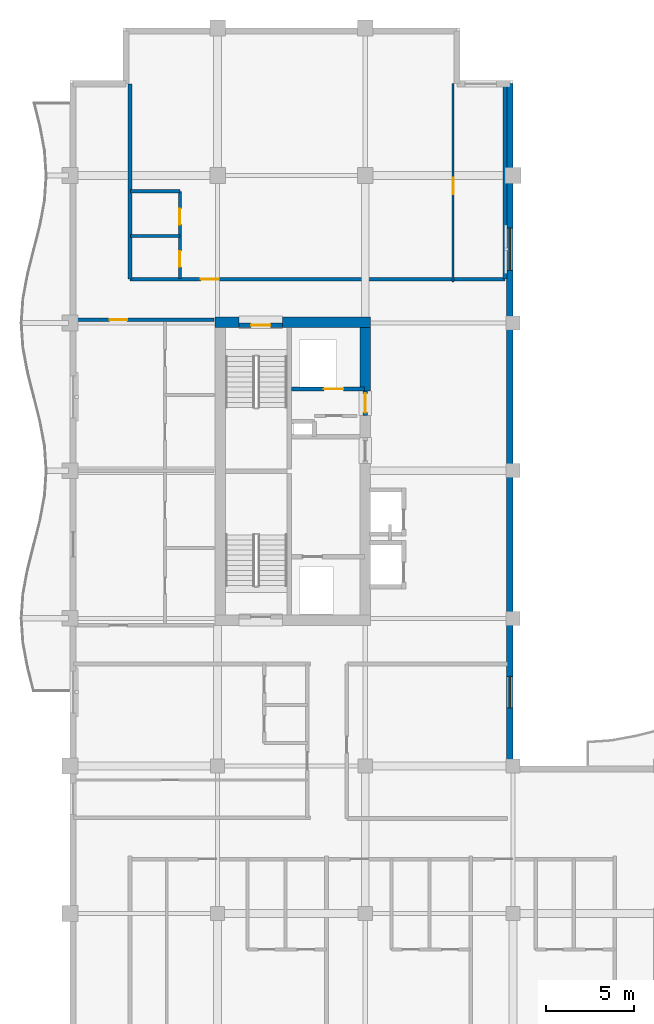
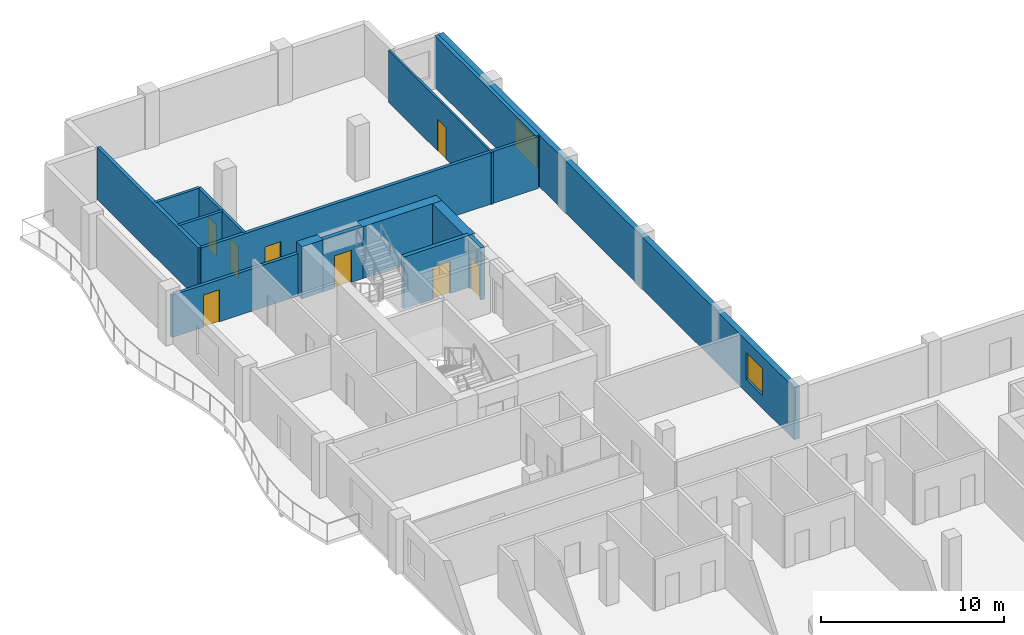
# One storey, part 10 of 16: 15 walls, 8 doors, 2 windows, 10 openings.
"""IFC4 building model written with IfcOpenShell, lengths in metres."""

from ifc_helpers import new_model, si_unit, direction, frame, frame_2d, origin, place, context, subcontext, project, spatial, rectangle, extrude, material, layer, layer_set, type_object, element, fill, save


model = new_model("IFC4")

# Units and contexts
model_context = context("Model", 3, precision=1e-05, world=origin(), true_north=direction((0.0, 1.0)))
body_context = subcontext(model_context, "Body", "Model", "MODEL_VIEW")
ifc_project = project(units=[si_unit("LENGTHUNIT", "METRE"), si_unit("AREAUNIT", "SQUARE_METRE"), si_unit("VOLUMEUNIT", "CUBIC_METRE"), si_unit("PLANEANGLEUNIT", "RADIAN"), si_unit("MASSUNIT", "GRAM", prefix="KILO")], contexts=[model_context])

# Site, building, storey
site_placement = place(None, origin())
site = spatial("IfcSite", under=ifc_project, at=site_placement, CompositionType="ELEMENT")
building_placement = place(site_placement, origin())
building = spatial("IfcBuilding", under=site, at=building_placement, Name="Koriwani Terraces Tower", CompositionType="ELEMENT")
storey_placement = place(building_placement, frame((0.0, 0.0, 245.300048828125)))
storey = spatial("IfcBuildingStorey", under=building, at=storey_placement, Name="L60", CompositionType="ELEMENT", Elevation=245.300048828125)

# Walls
ifc_material_1 = material(Name="Concrete C60/75", Category="concrete")
ifc_layer_1 = layer(ifc_material_1, 0.60009765625, Name="Concrete C60/75")
ifc_layer_set_1 = layer_set([ifc_layer_1], Name="Concrete C60/75")
wall_type_1 = type_object("IfcWallType", Name="WALL_CORE_RC_600", PredefinedType="SHEAR", material=ifc_layer_set_1)
wall_1_placement = place(storey_placement, frame((16.64990234375, 58.85009765625, 0.0), z_axis=(0.0, 0.0, 1.0), x_axis=(1.0, 0.0, 0.0)))
element("IfcWall", 1, at=wall_1_placement, inside=storey, type_object=wall_type_1, Name="L60 West Split Core Shear Wall N1", PredefinedType="SHEAR", context=body_context, shape_type="SweptSolid", body=[
    extrude(rectangle(XDim=1.35009765625, YDim=0.60009765625, at=frame_2d((0.675048828125, 0.0))), origin(), (0.0, 0.0, 1.0), 3.469970703125),
])
wall_2_placement = place(storey_placement, frame((20.5, 58.85009765625, 0.0), z_axis=(0.0, 0.0, 1.0), x_axis=(1.0, 0.0, 0.0)))
element("IfcWall", 2, at=wall_2_placement, inside=storey, type_object=wall_type_1, Name="L60 West Split Core Shear Wall N2", PredefinedType="SHEAR", context=body_context, shape_type="SweptSolid", body=[
    extrude(rectangle(XDim=5.0, YDim=0.60009765625, at=frame_2d((2.5, 0.0))), origin(), (0.0, 0.0, 1.0), 3.469970703125),
])
wall_3_placement = place(storey_placement, frame((25.199951171875, 54.949951171875, 0.0), z_axis=(0.0, 0.0, 1.0), x_axis=(0.0, 1.0, 0.0)))
element("IfcWall", 3, at=wall_3_placement, inside=storey, type_object=wall_type_1, Name="L60 West Split Core Shear Wall E3", PredefinedType="SHEAR", context=body_context, shape_type="SweptSolid", body=[
    extrude(rectangle(XDim=3.60009765625, YDim=0.60009765625, at=frame_2d((1.800048828125, 0.0))), origin(), (0.0, 0.0, 1.0), 3.469970703125),
])

# Wall, opening, door
ifc_material_2 = material(Name="Autoclaved Cellular Concrete Blockwork", Category="masonry")
ifc_layer_2 = layer(ifc_material_2, 0.199951171875, Name="Autoclaved Cellular Concrete Blockwork")
ifc_layer_set_2 = layer_set([ifc_layer_2], Name="Autoclaved Cellular Concrete Blockwork")
wall_type_2 = type_object("IfcWallType", Name="WALL_CORRIDOR_200", PredefinedType="PARTITIONING", material=ifc_layer_set_2)
wall_4_placement = place(storey_placement, frame((8.64990234375, 59.0, 0.0), z_axis=(0.0, 0.0, 1.0), x_axis=(1.0, 0.0, 0.0)))
wall_4 = element("IfcWall", 4, at=wall_4_placement, inside=storey, type_object=wall_type_2, Name="L60 Interior Wall WRZ4-WN-L60", PredefinedType="PARTITIONING", context=body_context, shape_type="SweptSolid", body=[
    extrude(rectangle(XDim=7.9501953125, YDim=0.199951171875, at=frame_2d((3.97509765625, 0.0))), origin(), (0.0, 0.0, 1.0), 2.820068359375),
])
opening_1_placement = place(wall_4_placement, frame((2.0, 0.0, 0.0)))
opening_1 = element("IfcOpeningElement", 5, at=opening_1_placement, cuts=wall_4, Name="Opening D-05", PredefinedType="OPENING", context=body_context, shape_type="SweptSolid", body=[
    extrude(rectangle(XDim=1.0, YDim=2.14990234375, at=frame_2d((0.5, 1.074951171875))), frame((0.0, 0.10986328125, 0.0), z_axis=(0.0, -1.0, 0.0), x_axis=(1.0, 0.0, 0.0)), (0.0, 0.0, 1.0), 0.219970703125),
])
ifc_material_3 = material(Name="Architectural Oak Fire Door", Category="wood")
door_type_1 = type_object("IfcDoorType", Name="DOOR_SUITE_ENTRY_1000X2150", OperationType="NOTDEFINED", PredefinedType="DOOR", material=ifc_material_3)
door_1_placement = place(opening_1_placement, origin())
door_1 = element("IfcDoor", 6, at=door_1_placement, inside=storey, type_object=door_type_1, Name="Apartment 60RW2 Entrance Door", OperationType="SINGLE_SWING_RIGHT", OverallHeight=2.14990234375, OverallWidth=1.0, PredefinedType="DOOR", context=body_context, shape_type="SweptSolid", body=[
    extrude(rectangle(XDim=1.0, YDim=2.14990234375, at=frame_2d((0.5, 1.074951171875))), frame((0.0, 0.02490234375, 0.0), z_axis=(0.0, -1.0, 0.0), x_axis=(1.0, 0.0, 0.0)), (0.0, 0.0, 1.0), 0.050048828125),
])
fill(opening_1, door_1)

wall_5_placement = place(storey_placement, frame((11.800048828125, 61.300048828125, 0.0), z_axis=(0.0, 0.0, 1.0), x_axis=(1.0, 0.0, 0.0)))
wall_5 = element("IfcWall", 7, at=wall_5_placement, inside=storey, type_object=wall_type_2, Name="L60 Interior Wall WGB-L60-NT-S", PredefinedType="PARTITIONING", context=body_context, shape_type="SweptSolid", body=[
    extrude(rectangle(XDim=21.349853515625, YDim=0.199951171875, at=frame_2d((10.6748046875, 0.0))), origin(), (0.0, 0.0, 1.0), 3.469970703125),
])
opening_2_placement = place(wall_5_placement, frame((4.050048828125, 0.0, 0.0)))
opening_2 = element("IfcOpeningElement", 8, at=opening_2_placement, cuts=wall_5, Name="Opening D-05", PredefinedType="OPENING", context=body_context, shape_type="SweptSolid", body=[
    extrude(rectangle(XDim=1.0, YDim=2.14990234375, at=frame_2d((0.5, 1.074951171875))), frame((0.0, 0.10986328125, 0.0), z_axis=(0.0, -1.0, 0.0), x_axis=(1.0, 0.0, 0.0)), (0.0, 0.0, 1.0), 0.219970703125),
])
door_2_placement = place(opening_2_placement, origin())
door_2 = element("IfcDoor", 9, at=door_2_placement, inside=storey, type_object=door_type_1, Name="Apartment 60NT Entrance Door", OperationType="SINGLE_SWING_LEFT", OverallHeight=2.14990234375, OverallWidth=1.0, PredefinedType="DOOR", context=body_context, shape_type="SweptSolid", body=[
    extrude(rectangle(XDim=1.0, YDim=2.14990234375, at=frame_2d((0.5, 1.074951171875))), frame((0.0, 0.02490234375, 0.0), z_axis=(0.0, -1.0, 0.0), x_axis=(1.0, 0.0, 0.0)), (0.0, 0.0, 1.0), 0.050048828125),
])
fill(opening_2, door_2)

# Walls
ifc_layer_3 = layer(ifc_material_2, 0.219970703125, Name="Autoclaved Cellular Concrete Blockwork")
ifc_layer_set_3 = layer_set([ifc_layer_3], Name="Autoclaved Cellular Concrete Blockwork")
wall_type_3 = type_object("IfcWallType", Name="WALL_DEMISING_220", PredefinedType="PARTITIONING", material=ifc_layer_set_3)
for number, where, z_axis, x_axis, name in (
    (10, (33.14990234375, 61.300048828125, 0.0), (0.0, 0.0, 1.0), (0.0, 1.0, 0.0), "L60 Interior Wall WGB-L60-NT-E"),
    (11, (11.800048828125, 61.300048828125, 0.0), (0.0, 0.0, 1.0), (0.0, 1.0, 0.0), "L60 Interior Wall WGB-L60-NT-W"),
):
    element("IfcWall", number, at=place(storey_placement, frame(where, z_axis=z_axis, x_axis=x_axis)), inside=storey, type_object=wall_type_3, Name=name, PredefinedType="PARTITIONING", context=body_context, shape_type="SweptSolid", body=[
        extrude(rectangle(XDim=11.099853515625, YDim=0.219970703125, at=frame_2d((5.5498046875, 0.0))), origin(), (0.0, 0.0, 1.0), 3.469970703125),
    ])

# Wall, openings, windows
ifc_material_4 = material(Name="Concrete C50/60", Category="concrete")
ifc_layer_4 = layer(ifc_material_4, 0.35009765625, Name="Concrete C50/60")
ifc_layer_set_4 = layer_set([ifc_layer_4], Name="Concrete C50/60")
wall_type_4 = type_object("IfcWallType", Name="WALL_EXT_BRUTALIST_350", PredefinedType="STANDARD", material=ifc_layer_set_4)
wall_6_placement = place(storey_placement, frame((33.425048828125, 72.425048828125, 0.0), z_axis=(0.0, 0.0, 1.0), x_axis=(0.0, -1.0, 0.0)))
wall_6 = element("IfcWall", 12, at=wall_6_placement, inside=storey, type_object=wall_type_4, Name="L60 Fair-Faced Brutalist Exterior Wall (NW_IN)", PredefinedType="STANDARD", context=body_context, shape_type="SweptSolid", body=[
    extrude(rectangle(XDim=39.0, YDim=0.35009765625, at=frame_2d((19.5, 0.0))), origin(), (0.0, 0.0, 1.0), 3.469970703125),
])
opening_3_placement = place(wall_6_placement, frame((33.72509765625, 0.0, 0.85009765625)))
opening_3 = element("IfcOpeningElement", 13, at=opening_3_placement, cuts=wall_6, Name="Opening W-04", PredefinedType="OPENING", context=body_context, shape_type="SweptSolid", body=[
    extrude(rectangle(XDim=1.800048828125, YDim=1.800048828125, at=frame_2d((0.89990234375, 0.89990234375))), frame((0.0, 0.18505859375, 0.0), z_axis=(0.0, -1.0, 0.0), x_axis=(1.0, 0.0, 0.0)), (0.0, 0.0, 1.0), 0.3701171875),
])
opening_4_placement = place(wall_6_placement, frame((8.22509765625, 0.0, 0.85009765625)))
opening_4 = element("IfcOpeningElement", 14, at=opening_4_placement, cuts=wall_6, Name="Opening W-03", PredefinedType="OPENING", context=body_context, shape_type="SweptSolid", body=[
    extrude(rectangle(XDim=2.39990234375, YDim=1.949951171875, at=frame_2d((1.199951171875, 0.97509765625))), frame((0.0, 0.18505859375, 0.0), z_axis=(0.0, -1.0, 0.0), x_axis=(1.0, 0.0, 0.0)), (0.0, 0.0, 1.0), 0.3701171875),
])
ifc_material_5 = material(Name="Tempered Laminated Low-E Glass", Category="glass")
window_type_1 = type_object("IfcWindowType", Name="WIN_RES_BED_1800X1800", PartitioningType="DOUBLE_PANEL_VERTICAL", PredefinedType="WINDOW", material=ifc_material_5)
window_1_placement = place(opening_3_placement, origin())
window_1 = element("IfcWindow", 15, at=window_1_placement, inside=storey, type_object=window_type_1, Name="L60 Exterior Window (NW_IN-2)", OverallHeight=1.800048828125, OverallWidth=1.800048828125, PartitioningType="SINGLE_PANEL", PredefinedType="WINDOW", context=body_context, shape_type="SweptSolid", body=[
    extrude(rectangle(XDim=1.800048828125, YDim=1.800048828125, at=frame_2d((0.89990234375, 0.89990234375))), frame((0.0, 0.030029296875, 0.0), z_axis=(0.0, -1.0, 0.0), x_axis=(1.0, 0.0, 0.0)), (0.0, 0.0, 1.0), 0.06005859375),
])
fill(opening_3, window_1)
window_type_2 = type_object("IfcWindowType", Name="WIN_RES_LIVING_2400X1950", PartitioningType="DOUBLE_PANEL_VERTICAL", PredefinedType="WINDOW", material=ifc_material_5)
window_2_placement = place(opening_4_placement, origin())
window_2 = element("IfcWindow", 16, at=window_2_placement, inside=storey, type_object=window_type_2, Name="L60 Exterior Window (NW_IN-11)", OverallHeight=1.949951171875, OverallWidth=2.39990234375, PartitioningType="SINGLE_PANEL", PredefinedType="WINDOW", context=body_context, shape_type="SweptSolid", body=[
    extrude(rectangle(XDim=2.39990234375, YDim=1.949951171875, at=frame_2d((1.199951171875, 0.97509765625))), frame((0.0, 0.030029296875, 0.0), z_axis=(0.0, -1.0, 0.0), x_axis=(1.0, 0.0, 0.0)), (0.0, 0.0, 1.0), 0.06005859375),
])
fill(opening_4, window_2)

# Wall, opening, door
ifc_material_6 = material(Name="Fire-Rated Acoustic Gypsum Partition", Category="masonry")
ifc_layer_5 = layer(ifc_material_6, 0.125, Name="Fire-Rated Acoustic Gypsum Partition")
ifc_layer_set_5 = layer_set([ifc_layer_5], Name="Fire-Rated Acoustic Gypsum Partition")
wall_type_5 = type_object("IfcWallType", Name="WALL_INT_125", PredefinedType="PARTITIONING", material=ifc_layer_set_5)
wall_7_placement = place(storey_placement, frame((30.199951171875, 61.14990234375, 0.0), z_axis=(0.0, 0.0, 1.0), x_axis=(0.0, 1.0, 0.0)))
wall_7 = element("IfcWall", 17, at=wall_7_placement, inside=storey, type_object=wall_type_5, Name="L60 Interior Wall WGB-L60-NT-BD", PredefinedType="PARTITIONING", context=body_context, shape_type="SweptSolid", body=[
    extrude(rectangle(XDim=11.300048828125, YDim=0.125, at=frame_2d((5.64990234375, 0.0))), origin(), (0.0, 0.0, 1.0), 3.469970703125),
])
opening_5_placement = place(wall_7_placement, frame((4.9951171875, 0.0, 0.0)))
opening_5 = element("IfcOpeningElement", 18, at=opening_5_placement, cuts=wall_7, Name="Opening D-06", PredefinedType="OPENING", context=body_context, shape_type="SweptSolid", body=[
    extrude(rectangle(XDim=0.919921875, YDim=2.10009765625, at=frame_2d((0.4599609375, 1.050048828125))), frame((0.0, 0.072509765625, 0.0), z_axis=(0.0, -1.0, 0.0), x_axis=(1.0, 0.0, 0.0)), (0.0, 0.0, 1.0), 0.14501953125),
])
door_type_2 = type_object("IfcDoorType", Name="DOOR_ROOM_INT_920X2100", OperationType="NOTDEFINED", PredefinedType="DOOR", material=ifc_material_3)
door_3_placement = place(opening_5_placement, origin())
door_3 = element("IfcDoor", 19, at=door_3_placement, inside=storey, type_object=door_type_2, Name="Apartment 60NT Master Suite Door", OperationType="SINGLE_SWING_RIGHT", OverallHeight=2.10009765625, OverallWidth=0.919921875, PredefinedType="DOOR", context=body_context, shape_type="SweptSolid", body=[
    extrude(rectangle(XDim=0.919921875, YDim=2.10009765625, at=frame_2d((0.4599609375, 1.050048828125))), frame((0.0, 0.02490234375, 0.0), z_axis=(0.0, -1.0, 0.0), x_axis=(1.0, 0.0, 0.0)), (0.0, 0.0, 1.0), 0.050048828125),
])
fill(opening_5, door_3)

# Wall, openings, doors
ifc_layer_6 = layer(ifc_material_6, 0.179931640625, Name="Fire-Rated Acoustic Gypsum Partition")
ifc_layer_set_6 = layer_set([ifc_layer_6], Name="Fire-Rated Acoustic Gypsum Partition")
wall_type_6 = type_object("IfcWallType", Name="WALL_PLUMBING_180", PredefinedType="PLUMBINGWALL", material=ifc_layer_set_6)
wall_8_placement = place(storey_placement, frame((14.64990234375, 61.35009765625, 0.0), z_axis=(0.0, 0.0, 1.0), x_axis=(0.0, 1.0, 0.0)))
wall_8 = element("IfcWall", 20, at=wall_8_placement, inside=storey, type_object=wall_type_6, Name="L60 Interior Wall WGB-L60-NT-SVB", PredefinedType="PLUMBINGWALL", context=body_context, shape_type="SweptSolid", body=[
    extrude(rectangle(XDim=4.949951171875, YDim=0.179931640625, at=frame_2d((2.47509765625, 0.0))), origin(), (0.0, 0.0, 1.0), 3.469970703125),
])
opening_6_placement = place(wall_8_placement, frame((0.64990234375, 0.0, 0.0)))
opening_6 = element("IfcOpeningElement", 21, at=opening_6_placement, cuts=wall_8, Name="Opening D-07", PredefinedType="OPENING", context=body_context, shape_type="SweptSolid", body=[
    extrude(rectangle(XDim=0.89990234375, YDim=2.10009765625, at=frame_2d((0.449951171875, 1.050048828125))), frame((0.0, 0.10009765625, 0.0), z_axis=(0.0, -1.0, 0.0), x_axis=(1.0, 0.0, 0.0)), (0.0, 0.0, 1.0), 0.199951171875),
])
opening_7_placement = place(wall_8_placement, frame((3.050048828125, 0.0, 0.0)))
opening_7 = element("IfcOpeningElement", 22, at=opening_7_placement, cuts=wall_8, Name="Opening D-06", PredefinedType="OPENING", context=body_context, shape_type="SweptSolid", body=[
    extrude(rectangle(XDim=0.919921875, YDim=2.10009765625, at=frame_2d((0.4599609375, 1.050048828125))), frame((0.0, 0.10009765625, 0.0), z_axis=(0.0, -1.0, 0.0), x_axis=(1.0, 0.0, 0.0)), (0.0, 0.0, 1.0), 0.199951171875),
])
door_type_3 = type_object("IfcDoorType", Name="DOOR_BATH_INT_900X2100", OperationType="NOTDEFINED", PredefinedType="DOOR", material=ifc_material_3)
door_4_placement = place(opening_6_placement, origin())
door_4 = element("IfcDoor", 23, at=door_4_placement, inside=storey, type_object=door_type_3, Name="Apartment 60NT Bathroom Door", OperationType="SINGLE_SWING_RIGHT", OverallHeight=2.10009765625, OverallWidth=0.89990234375, PredefinedType="DOOR", context=body_context, shape_type="SweptSolid", body=[
    extrude(rectangle(XDim=0.89990234375, YDim=2.10009765625, at=frame_2d((0.449951171875, 1.050048828125))), frame((0.0, 0.02490234375, 0.0), z_axis=(0.0, -1.0, 0.0), x_axis=(1.0, 0.0, 0.0)), (0.0, 0.0, 1.0), 0.050048828125),
])
fill(opening_6, door_4)
door_5_placement = place(opening_7_placement, origin())
door_5 = element("IfcDoor", 24, at=door_5_placement, inside=storey, type_object=door_type_2, Name="Apartment 60NT Kitchen Door", OperationType="SINGLE_SWING_LEFT", OverallHeight=2.10009765625, OverallWidth=0.919921875, PredefinedType="DOOR", context=body_context, shape_type="SweptSolid", body=[
    extrude(rectangle(XDim=0.919921875, YDim=2.10009765625, at=frame_2d((0.4599609375, 1.050048828125))), frame((0.0, 0.02490234375, 0.0), z_axis=(0.0, -1.0, 0.0), x_axis=(1.0, 0.0, 0.0)), (0.0, 0.0, 1.0), 0.050048828125),
])
fill(opening_7, door_5)

# Walls
for number, where, z_axis, x_axis, name in (
    (25, (11.85009765625, 63.75, 0.0), (0.0, 0.0, 1.0), (1.0, 0.0, 0.0), "L60 Interior Wall WGB-L60-NT-SVM"),
    (26, (11.85009765625, 66.300048828125, 0.0), (0.0, 0.0, 1.0), (1.0, 0.0, 0.0), "L60 Interior Wall WGB-L60-NT-SV2"),
):
    element("IfcWall", number, at=place(storey_placement, frame(where, z_axis=z_axis, x_axis=x_axis)), inside=storey, type_object=wall_type_6, Name=name, PredefinedType="PLUMBINGWALL", context=body_context, shape_type="SweptSolid", body=[
        extrude(rectangle(XDim=2.7998046875, YDim=0.179931640625, at=frame_2d((1.39990234375, 0.0))), origin(), (0.0, 0.0, 1.0), 3.469970703125),
    ])

# Wall, opening, door
ifc_material_7 = material(Name="Concrete C40/50", Category="concrete")
ifc_layer_7 = layer(ifc_material_7, 0.25, Name="Concrete C40/50")
ifc_layer_set_7 = layer_set([ifc_layer_7], Name="Concrete C40/50")
wall_type_7 = type_object("IfcWallType", Name="WALL_SHAFT_RATED_250", PredefinedType="SOLIDWALL", material=ifc_layer_set_7)
wall_9_placement = place(storey_placement, frame((18.0, 58.675048828125, 0.0), z_axis=(0.0, 0.0, 1.0), x_axis=(1.0, 0.0, 0.0)))
wall_9 = element("IfcWall", 27, at=wall_9_placement, inside=storey, type_object=wall_type_7, Name="L60 Interior Wall WIN-CW-L60-STN", PredefinedType="SOLIDWALL", context=body_context, shape_type="SweptSolid", body=[
    extrude(rectangle(XDim=2.5, YDim=0.25, at=frame_2d((1.25, 0.0))), origin(), (0.0, 0.0, 1.0), 3.469970703125),
])
opening_8_placement = place(wall_9_placement, frame((0.699951171875, 0.0, 0.0)))
opening_8 = element("IfcOpeningElement", 28, at=opening_8_placement, cuts=wall_9, Name="Opening D-03", PredefinedType="OPENING", context=body_context, shape_type="SweptSolid", body=[
    extrude(rectangle(XDim=1.10009765625, YDim=2.14990234375, at=frame_2d((0.550048828125, 1.074951171875))), frame((0.0, 0.135009765625, 0.0), z_axis=(0.0, -1.0, 0.0), x_axis=(1.0, 0.0, 0.0)), (0.0, 0.0, 1.0), 0.27001953125),
])
ifc_material_8 = material(Name="Steel ASTM A572 Grade 50", Category="steel")
door_type_4 = type_object("IfcDoorType", Name="DOOR_STAIR_FIRE_1100X2150", OperationType="NOTDEFINED", PredefinedType="DOOR", material=ifc_material_8)
door_6_placement = place(opening_8_placement, origin())
door_6 = element("IfcDoor", 29, at=door_6_placement, inside=storey, type_object=door_type_4, Name="L60 Exit Stair ST-W2 Door", OperationType="SINGLE_SWING_LEFT", OverallHeight=2.14990234375, OverallWidth=1.10009765625, PredefinedType="DOOR", context=body_context, shape_type="SweptSolid", body=[
    extrude(rectangle(XDim=1.10009765625, YDim=2.14990234375, at=frame_2d((0.550048828125, 1.074951171875))), frame((0.0, 0.02490234375, 0.0), z_axis=(0.0, -1.0, 0.0), x_axis=(1.0, 0.0, 0.0)), (0.0, 0.0, 1.0), 0.050048828125),
])
fill(opening_8, door_6)

wall_10_placement = place(storey_placement, frame((21.0, 55.050048828125, 0.0), z_axis=(0.0, 0.0, 1.0), x_axis=(1.0, 0.0, 0.0)))
wall_10 = element("IfcWall", 30, at=wall_10_placement, inside=storey, type_object=wall_type_7, Name="L60 Interior Wall WIN-CW-L60-SE", PredefinedType="SOLIDWALL", context=body_context, shape_type="SweptSolid", body=[
    extrude(rectangle(XDim=4.14990234375, YDim=0.25, at=frame_2d((2.074951171875, 0.0))), origin(), (0.0, 0.0, 1.0), 3.469970703125),
])
opening_9_placement = place(wall_10_placement, frame((1.85009765625, 0.0, 0.0)))
opening_9 = element("IfcOpeningElement", 31, at=opening_9_placement, cuts=wall_10, Name="Opening LD-01", PredefinedType="OPENING", context=body_context, shape_type="SweptSolid", body=[
    extrude(rectangle(XDim=1.10009765625, YDim=2.14990234375, at=frame_2d((0.550048828125, 1.074951171875))), frame((0.0, 0.135009765625, 0.0), z_axis=(0.0, -1.0, 0.0), x_axis=(1.0, 0.0, 0.0)), (0.0, 0.0, 1.0), 0.27001953125),
])
door_type_5 = type_object("IfcDoorType", Name="DOOR_LIFT_LANDING_1100X2200", OperationType="NOTDEFINED", PredefinedType="DOOR", material=ifc_material_8)
door_7_placement = place(opening_9_placement, origin())
door_7 = element("IfcDoor", 32, at=door_7_placement, inside=storey, type_object=door_type_5, Name="L60 Goods Lift SE-01 Landing Door", OperationType="SLIDING_TO_LEFT", OverallHeight=2.14990234375, OverallWidth=1.10009765625, PredefinedType="DOOR", context=body_context, shape_type="SweptSolid", body=[
    extrude(rectangle(XDim=1.10009765625, YDim=2.14990234375, at=frame_2d((0.550048828125, 1.074951171875))), frame((0.0, 0.02490234375, 0.0), z_axis=(0.0, -1.0, 0.0), x_axis=(1.0, 0.0, 0.0)), (0.0, 0.0, 1.0), 0.050048828125),
])
fill(opening_9, door_7)

wall_11_placement = place(storey_placement, frame((25.199951171875, 53.550048828125, 0.0), z_axis=(0.0, 0.0, 1.0), x_axis=(0.0, 1.0, 0.0)))
wall_11 = element("IfcWall", 33, at=wall_11_placement, inside=storey, type_object=wall_type_7, Name="L60 Interior Wall WIN-CW-L60-EP2", PredefinedType="SOLIDWALL", context=body_context, shape_type="SweptSolid", body=[
    extrude(rectangle(XDim=1.39990234375, YDim=0.25, at=frame_2d((0.699951171875, 0.0))), origin(), (0.0, 0.0, 1.0), 3.469970703125),
])
opening_10_placement = place(wall_11_placement, frame((0.14990234375, 0.0, 0.0)))
opening_10 = element("IfcOpeningElement", 34, at=opening_10_placement, cuts=wall_11, Name="Opening D-03", PredefinedType="OPENING", context=body_context, shape_type="SweptSolid", body=[
    extrude(rectangle(XDim=1.10009765625, YDim=2.14990234375, at=frame_2d((0.550048828125, 1.074951171875))), frame((0.0, 0.135009765625, 0.0), z_axis=(0.0, -1.0, 0.0), x_axis=(1.0, 0.0, 0.0)), (0.0, 0.0, 1.0), 0.27001953125),
])
door_8_placement = place(opening_10_placement, origin())
door_8 = element("IfcDoor", 35, at=door_8_placement, inside=storey, type_object=door_type_4, Name="L60 West Goods Lift Lobby Door", OperationType="SINGLE_SWING_LEFT", OverallHeight=2.14990234375, OverallWidth=1.10009765625, PredefinedType="DOOR", context=body_context, shape_type="SweptSolid", body=[
    extrude(rectangle(XDim=1.10009765625, YDim=2.14990234375, at=frame_2d((0.550048828125, 1.074951171875))), frame((0.0, 0.02490234375, 0.0), z_axis=(0.0, -1.0, 0.0), x_axis=(1.0, 0.0, 0.0)), (0.0, 0.0, 1.0), 0.050048828125),
])
fill(opening_10, door_8)

save(model, "model.ifc")
